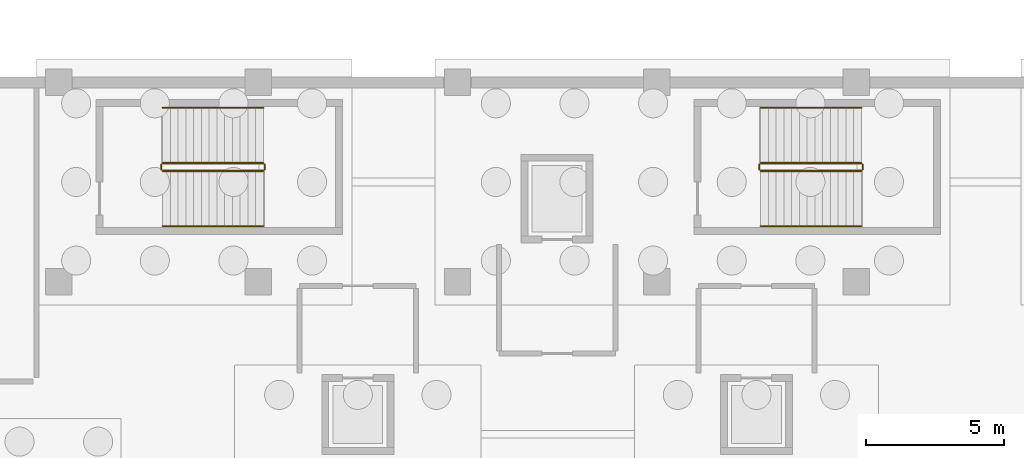
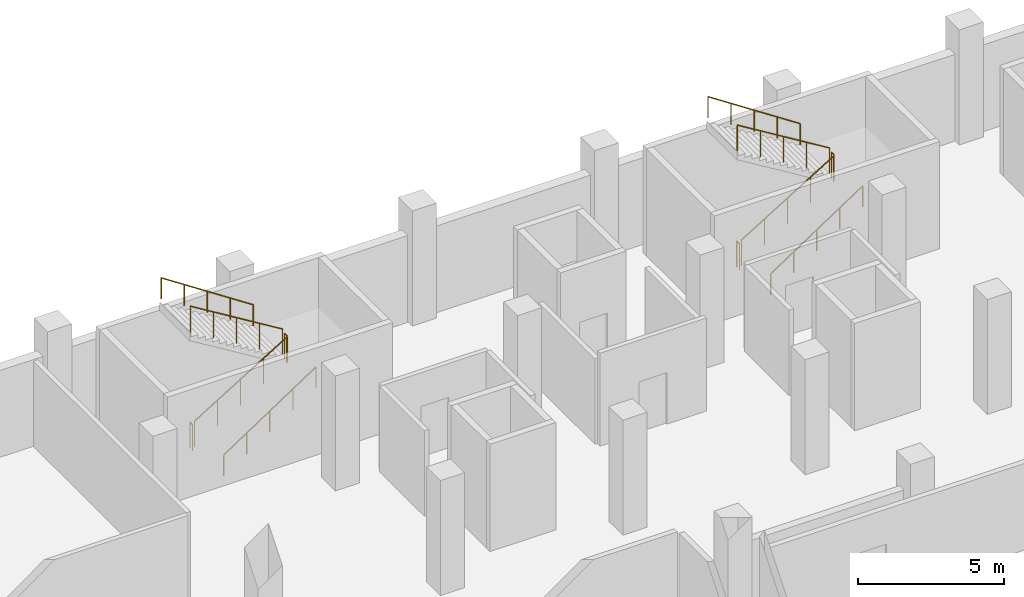
# One storey, part 8 of 10: 12 railings.
"""IFC4 building model written with IfcOpenShell, lengths in metres."""

import ifcopenshell
import ifcopenshell.guid

model = None  # the IFC model being written
_history = None  # IfcOwnerHistory: only IFC2X3 demands one
_inside = {}  # id of a spatial element -> (the spatial element, [elements in it])
_under = {}  # id of a project, library or spatial element -> (it, [spatial elements below it])
_declared = {}  # id of a project -> (the project, [libraries it declares])
_typed = {}  # id of a type object -> (the type object, [elements of that type])
_made_of = {}  # id of a material, layer set ... -> (it, [elements and type objects made of it])


def new_model(schema):
    """Start an empty IFC model of exactly this schema.

    Asked for "IFC4X3", IfcOpenShell would pick the latest addendum, in which some entities
    have other attributes; the version numbers below select the first issue.
    IFC2X3 requires an IfcOwnerHistory on every rooted entity: one is made here for all.
    """
    global model, _history
    if schema == "IFC4X3":
        model = ifcopenshell.file(schema_version=(4, 3, 0, 0))
    else:
        model = ifcopenshell.file(schema=schema)
    _inside.clear()
    _under.clear()
    _declared.clear()
    _typed.clear()
    _made_of.clear()
    _history = None
    if model.schema == "IFC2X3":
        org = make("IfcOrganization", Name="unknown")
        user = make(
            "IfcPersonAndOrganization",
            ThePerson=make("IfcPerson", FamilyName="unknown"),
            TheOrganization=org,
        )
        app = make(
            "IfcApplication",
            ApplicationDeveloper=org,
            Version="unknown",
            ApplicationFullName="unknown",
            ApplicationIdentifier="unknown",
        )
        _history = make(
            "IfcOwnerHistory",
            OwningUser=user,
            OwningApplication=app,
            ChangeAction="ADDED",
            CreationDate=0,
        )
    return model


def make(cls, **values):
    """One entity of the class cls with the attributes given. An attribute that is None is left unset."""
    return model.create_entity(
        cls, **{name: value for name, value in values.items() if value is not None}
    )


def rooted(cls, **values):
    """An entity with a GlobalId (a new one), such as an element, a storey or a relation."""
    return make(cls, GlobalId=ifcopenshell.guid.new(), OwnerHistory=_history, **values)


def si_unit(unit_type, name, prefix=None):
    """IfcSIUnit, for example si_unit("LENGTHUNIT", "METRE", prefix="MILLI")."""
    return make("IfcSIUnit", UnitType=unit_type, Prefix=prefix, Name=name)


def assignment(units):
    """IfcUnitAssignment: the units of a project."""
    return None if units is None else make("IfcUnitAssignment", Units=units)


def point(xyz):
    """IfcCartesianPoint."""
    return None if xyz is None else make("IfcCartesianPoint", Coordinates=xyz)


def direction(xyz):
    """IfcDirection."""
    return None if xyz is None else make("IfcDirection", DirectionRatios=xyz)


def frame(location, z_axis=None, x_axis=None):
    """IfcAxis2Placement3D, a coordinate frame: its origin and axes. An axis left out is left unset."""
    return make(
        "IfcAxis2Placement3D",
        Location=point(location),
        Axis=direction(z_axis),
        RefDirection=direction(x_axis),
    )


def frame_2d(location, x_axis=None):
    """IfcAxis2Placement2D, a coordinate frame in the plane: its origin and x axis."""
    return make(
        "IfcAxis2Placement2D", Location=point(location), RefDirection=direction(x_axis)
    )


def origin():
    """The frame at (0, 0, 0) with its axes left unset."""
    return frame((0.0, 0.0, 0.0))


def origin_2d():
    """The frame at (0, 0) in the plane with its x axis left unset."""
    return frame_2d((0.0, 0.0))


def place(relative_to, where):
    """IfcLocalPlacement: puts the frame where relative to a parent placement (None: the world)."""
    return make(
        "IfcLocalPlacement", PlacementRelTo=relative_to, RelativePlacement=where
    )


def context(
    kind, dimensions, precision=None, world=None, true_north=None, identifier=None
):
    """IfcGeometricRepresentationContext, for example the 3D "Model" context."""
    return make(
        "IfcGeometricRepresentationContext",
        ContextIdentifier=identifier,
        ContextType=kind,
        CoordinateSpaceDimension=dimensions,
        Precision=precision,
        WorldCoordinateSystem=world,
        TrueNorth=true_north,
    )


def subcontext(parent, identifier, kind, view, scale=None):
    """IfcGeometricRepresentationSubContext, for example "Body" below "Model"."""
    return make(
        "IfcGeometricRepresentationSubContext",
        ContextIdentifier=identifier,
        ContextType=kind,
        ParentContext=parent,
        TargetScale=scale,
        TargetView=view,
    )


def project(units=None, contexts=None):
    """IfcProject with its units and contexts."""
    return rooted(
        "IfcProject",
        Name="project",
        RepresentationContexts=contexts,
        UnitsInContext=assignment(units),
    )


def spatial(cls, under=None, at=None, **own):
    """A site, building, storey or space (cls), placed at a placement, below another one or the project."""
    s = rooted(cls, ObjectPlacement=at, **own)
    if under is not None:
        _under.setdefault(under.id(), (under, []))[1].append(s)
    return s


def profile(cls, at=None, kind="AREA", **sizes):
    """A parametric profile (cls). Its sizes go by their IFC names, for example OverallWidth=200.0."""
    return make(cls, ProfileType=kind, Position=at, **sizes)


def circle(**sizes):
    """IfcCircleProfileDef."""
    return profile("IfcCircleProfileDef", **sizes)


def extrude(swept, where, along, depth):
    """IfcExtrudedAreaSolid: the profile swept, set in the frame where, extruded along a direction by depth."""
    return make(
        "IfcExtrudedAreaSolid",
        SweptArea=swept,
        Position=where,
        ExtrudedDirection=direction(along),
        Depth=depth,
    )


def shape(context_of_items, identifier, shape_type, items):
    """IfcShapeRepresentation: the items that make up one representation, for example the "Body"."""
    return make(
        "IfcShapeRepresentation",
        ContextOfItems=context_of_items,
        RepresentationIdentifier=identifier,
        RepresentationType=shape_type,
        Items=items,
    )


def material(Name=None, Category=None):
    """IfcMaterial."""
    return make("IfcMaterial", Name=Name, Category=Category)


def made_of(thing, what):
    """Note that an element or type object is made of a material, layer set ...; save() writes the relation."""
    if what is not None:
        _made_of.setdefault(what.id(), (what, []))[1].append(thing)
    return thing


def type_object(cls, material=None, **own):
    """A type object (cls), such as IfcWallType, which elements share."""
    return made_of(rooted(cls, **own), material)


def element(
    cls,
    number,
    at=None,
    inside=None,
    cuts=None,
    type_object=None,
    material=None,
    context=None,
    identifier="Body",
    shape_type=None,
    held_by="IfcProductDefinitionShape",
    body=None,
    shapes=None,
    **own,
):
    """One element of the class cls, such as IfcWall. Its Tag is "e" and its number.

    at: its placement. inside: the storey or other place that contains it. cuts: it is an
    opening in that element (IfcRelVoidsElement). A single representation is given by context,
    identifier, shape_type and body (its items); several are given by shapes. held_by: the class
    of the entity that holds the representations. save() writes the other relations.
    """
    e = rooted(cls, Tag="e%d" % number, ObjectPlacement=at, **own)
    if body is not None:
        shapes = [shape(context, identifier, shape_type, body)]
    if shapes is not None:
        e.Representation = make(held_by, Representations=shapes)
    if inside is not None:
        _inside.setdefault(inside.id(), (inside, []))[1].append(e)
    if cuts is not None:
        rooted(
            "IfcRelVoidsElement", RelatingBuildingElement=cuts, RelatedOpeningElement=e
        )
    if type_object is not None:
        _typed.setdefault(type_object.id(), (type_object, []))[1].append(e)
    return made_of(e, material)


def aggregate(whole, parts):
    """IfcRelAggregates: a whole, such as a stair, and the parts it consists of."""
    return rooted("IfcRelAggregates", RelatingObject=whole, RelatedObjects=parts)


def save(model, path):
    """Write the relations noted so far, then the file.

    IfcRelAggregates (storeys below a building ...), IfcRelContainedInSpatialStructure (elements
    in a storey), IfcRelDefinesByType, IfcRelAssociatesMaterial and IfcRelDeclares: one each for
    every whole, place, type object, material and project.
    """
    for whole, parts in _under.values():
        aggregate(whole, parts)
    for where, things in _inside.values():
        rooted(
            "IfcRelContainedInSpatialStructure",
            RelatedElements=things,
            RelatingStructure=where,
        )
    for kind, things in _typed.values():
        rooted("IfcRelDefinesByType", RelatedObjects=things, RelatingType=kind)
    for what, things in _made_of.values():
        rooted("IfcRelAssociatesMaterial", RelatedObjects=things, RelatingMaterial=what)
    for by, libraries in _declared.values():
        rooted("IfcRelDeclares", RelatingContext=by, RelatedDefinitions=libraries)
    model.write(path)


model = new_model("IFC4")

# Units and contexts
model_context = context("Model", 3, precision=1e-05, world=origin(), true_north=direction((0.0, 1.0)))
body_context = subcontext(model_context, "Body", "Model", "MODEL_VIEW")
ifc_project = project(units=[si_unit("LENGTHUNIT", "METRE"), si_unit("AREAUNIT", "SQUARE_METRE"), si_unit("VOLUMEUNIT", "CUBIC_METRE"), si_unit("PLANEANGLEUNIT", "RADIAN"), si_unit("MASSUNIT", "GRAM", prefix="KILO")], contexts=[model_context])

# Site, building, storey
site_placement = place(None, origin())
site = spatial("IfcSite", under=ifc_project, at=site_placement, CompositionType="ELEMENT")
building_placement = place(site_placement, origin())
building = spatial("IfcBuilding", under=site, at=building_placement, Name="Cendralis Lancet Convention Centre", CompositionType="ELEMENT")
storey_placement = place(building_placement, frame((0.0, 0.0, -4.800048828125)))
storey = spatial("IfcBuildingStorey", under=building, at=storey_placement, Name="B1", CompositionType="ELEMENT", Elevation=-4.800048828125)

# Railings
ifc_material = material(Name="Steel S355", Category="steel")
railing_type_1 = type_object("IfcRailingType", Name="ARC-RL-CGD", PredefinedType="GUARDRAIL", material=ifc_material)
railing_1_placement = place(storey_placement, frame((150.14990234375, 32.800048828125, 0.17138671875)))
element("IfcRailing", 1, at=railing_1_placement, inside=storey, type_object=railing_type_1, Name="B1 ST-13 stair guard 1", PredefinedType="GUARDRAIL", context=body_context, shape_type="SweptSolid", body=[
    extrude(circle(Radius=0.02392578125, at=origin_2d()), frame((0.0, 0.0, 1.076171875), z_axis=(0.852840387347, 0.0, 0.522171689878), x_axis=(0.0, 1.0, 0.0)), (0.0, 0.0, 1.0), 4.268310546875),
    extrude(circle(Radius=0.02099609375, at=origin_2d()), origin(), (0.0, 0.0, 1.0), 1.052001953125),
    extrude(circle(Radius=0.02099609375, at=origin_2d()), frame((0.91015625, 0.0, 0.55712890625)), (0.0, 0.0, 1.0), 1.052001953125),
    extrude(circle(Radius=0.02099609375, at=origin_2d()), frame((1.820068359375, 0.0, 1.1142578125)), (0.0, 0.0, 1.0), 1.052001953125),
    extrude(circle(Radius=0.02099609375, at=origin_2d()), frame((2.72998046875, 0.0, 1.671630859375)), (0.0, 0.0, 1.0), 1.052001953125),
    extrude(circle(Radius=0.02099609375, at=origin_2d()), frame((3.64013671875, 0.0, 2.228759765625)), (0.0, 0.0, 1.0), 1.052001953125),
])
railing_2_placement = place(storey_placement, frame((153.840087890625, 32.85009765625, 2.400146484375)))
element("IfcRailing", 2, at=railing_2_placement, inside=storey, type_object=railing_type_1, Name="B1 ST-13 stair guard 2", PredefinedType="GUARDRAIL", context=body_context, shape_type="SweptSolid", body=[
    extrude(circle(Radius=0.02392578125, at=origin_2d()), frame((0.0, 0.0, 1.076171875), z_axis=(0.0, 1.0, 0.0), x_axis=(-1.0, 0.0, 0.0)), (0.0, 0.0, 1.0), 0.179931640625),
    extrude(circle(Radius=0.02099609375, at=origin_2d()), origin(), (0.0, 0.0, 1.0), 1.052001953125),
    extrude(circle(Radius=0.02099609375, at=origin_2d()), frame((0.0, 0.179931640625, 0.0)), (0.0, 0.0, 1.0), 1.052001953125),
])
railing_3_placement = place(storey_placement, frame((153.7900390625, 33.080078125, 2.571533203125)))
element("IfcRailing", 3, at=railing_3_placement, inside=storey, type_object=railing_type_1, Name="B1 ST-13 stair guard 3", PredefinedType="GUARDRAIL", context=body_context, shape_type="SweptSolid", body=[
    extrude(circle(Radius=0.02392578125, at=origin_2d()), frame((0.0, 0.0, 1.076171875), z_axis=(-0.852865859571, 0.0, 0.52213008492), x_axis=(0.0, -1.0, 0.0)), (0.0, 0.0, 1.0), 4.26806640625),
    extrude(circle(Radius=0.02099609375, at=origin_2d()), origin(), (0.0, 0.0, 1.0), 1.052001953125),
    extrude(circle(Radius=0.02099609375, at=origin_2d()), frame((-0.91015625, 0.0, 0.55712890625)), (0.0, 0.0, 1.0), 1.052001953125),
    extrude(circle(Radius=0.02099609375, at=origin_2d()), frame((-1.820068359375, 0.0, 1.1142578125)), (0.0, 0.0, 1.0), 1.052001953125),
    extrude(circle(Radius=0.02099609375, at=origin_2d()), frame((-2.72998046875, 0.0, 1.67138671875)), (0.0, 0.0, 1.0), 1.052001953125),
    extrude(circle(Radius=0.02099609375, at=origin_2d()), frame((-3.64013671875, 0.0, 2.228515625)), (0.0, 0.0, 1.0), 1.052001953125),
])
railing_4_placement = place(storey_placement, frame((150.10009765625, 32.85009765625, 0.0)))
element("IfcRailing", 4, at=railing_4_placement, inside=storey, type_object=railing_type_1, Name="B1 ST-13 stair guard 4", PredefinedType="GUARDRAIL", context=body_context, shape_type="SweptSolid", body=[
    extrude(circle(Radius=0.02392578125, at=origin_2d()), frame((0.0, 0.0, 1.076171875), z_axis=(0.0, 1.0, 0.0), x_axis=(-1.0, 0.0, 0.0)), (0.0, 0.0, 1.0), 0.179931640625),
    extrude(circle(Radius=0.02099609375, at=origin_2d()), origin(), (0.0, 0.0, 1.0), 1.052001953125),
    extrude(circle(Radius=0.02099609375, at=origin_2d()), frame((0.0, 0.179931640625, 0.0)), (0.0, 0.0, 1.0), 1.052001953125),
])
railing_5_placement = place(storey_placement, frame((171.75, 32.800048828125, 0.17138671875)))
element("IfcRailing", 5, at=railing_5_placement, inside=storey, type_object=railing_type_1, Name="B1 ST-14 stair guard 1", PredefinedType="GUARDRAIL", context=body_context, shape_type="SweptSolid", body=[
    extrude(circle(Radius=0.02392578125, at=origin_2d()), frame((0.0, 0.0, 1.076171875), z_axis=(0.852824790078, 0.0, 0.522197163366), x_axis=(0.0, 1.0, 0.0)), (0.0, 0.0, 1.0), 4.26806640625),
    extrude(circle(Radius=0.02099609375, at=origin_2d()), origin(), (0.0, 0.0, 1.0), 1.052001953125),
    extrude(circle(Radius=0.02099609375, at=origin_2d()), frame((0.909912109375, 0.0, 0.55712890625)), (0.0, 0.0, 1.0), 1.052001953125),
    extrude(circle(Radius=0.02099609375, at=origin_2d()), frame((1.81982421875, 0.0, 1.1142578125)), (0.0, 0.0, 1.0), 1.052001953125),
    extrude(circle(Radius=0.02099609375, at=origin_2d()), frame((2.72998046875, 0.0, 1.671630859375)), (0.0, 0.0, 1.0), 1.052001953125),
    extrude(circle(Radius=0.02099609375, at=origin_2d()), frame((3.639892578125, 0.0, 2.228759765625)), (0.0, 0.0, 1.0), 1.052001953125),
])
railing_6_placement = place(storey_placement, frame((175.43994140625, 32.85009765625, 2.400146484375)))
element("IfcRailing", 6, at=railing_6_placement, inside=storey, type_object=railing_type_1, Name="B1 ST-14 stair guard 2", PredefinedType="GUARDRAIL", context=body_context, shape_type="SweptSolid", body=[
    extrude(circle(Radius=0.02392578125, at=origin_2d()), frame((0.0, 0.0, 1.076171875), z_axis=(0.0, 1.0, 0.0), x_axis=(-1.0, 0.0, 0.0)), (0.0, 0.0, 1.0), 0.179931640625),
    extrude(circle(Radius=0.02099609375, at=origin_2d()), origin(), (0.0, 0.0, 1.0), 1.052001953125),
    extrude(circle(Radius=0.02099609375, at=origin_2d()), frame((0.0, 0.179931640625, 0.0)), (0.0, 0.0, 1.0), 1.052001953125),
])
railing_7_placement = place(storey_placement, frame((175.389892578125, 33.080078125, 2.571533203125)))
element("IfcRailing", 7, at=railing_7_placement, inside=storey, type_object=railing_type_1, Name="B1 ST-14 stair guard 3", PredefinedType="GUARDRAIL", context=body_context, shape_type="SweptSolid", body=[
    extrude(circle(Radius=0.02392578125, at=origin_2d()), frame((0.0, 0.0, 1.076171875), z_axis=(-0.852850264322, 0.0, 0.5221555579), x_axis=(0.0, -1.0, 0.0)), (0.0, 0.0, 1.0), 4.267822265625),
    extrude(circle(Radius=0.02099609375, at=origin_2d()), origin(), (0.0, 0.0, 1.0), 1.052001953125),
    extrude(circle(Radius=0.02099609375, at=origin_2d()), frame((-0.909912109375, 0.0, 0.55712890625)), (0.0, 0.0, 1.0), 1.052001953125),
    extrude(circle(Radius=0.02099609375, at=origin_2d()), frame((-1.81982421875, 0.0, 1.1142578125)), (0.0, 0.0, 1.0), 1.052001953125),
    extrude(circle(Radius=0.02099609375, at=origin_2d()), frame((-2.72998046875, 0.0, 1.67138671875)), (0.0, 0.0, 1.0), 1.052001953125),
    extrude(circle(Radius=0.02099609375, at=origin_2d()), frame((-3.639892578125, 0.0, 2.228515625)), (0.0, 0.0, 1.0), 1.052001953125),
])
railing_8_placement = place(storey_placement, frame((171.699951171875, 32.85009765625, 0.0)))
element("IfcRailing", 8, at=railing_8_placement, inside=storey, type_object=railing_type_1, Name="B1 ST-14 stair guard 4", PredefinedType="GUARDRAIL", context=body_context, shape_type="SweptSolid", body=[
    extrude(circle(Radius=0.02392578125, at=origin_2d()), frame((0.0, 0.0, 1.076171875), z_axis=(0.0, 1.0, 0.0), x_axis=(-1.0, 0.0, 0.0)), (0.0, 0.0, 1.0), 0.179931640625),
    extrude(circle(Radius=0.02099609375, at=origin_2d()), origin(), (0.0, 0.0, 1.0), 1.052001953125),
    extrude(circle(Radius=0.02099609375, at=origin_2d()), frame((0.0, 0.179931640625, 0.0)), (0.0, 0.0, 1.0), 1.052001953125),
])
railing_type_2 = type_object("IfcRailingType", Name="ARC-RL-CHR", PredefinedType="HANDRAIL", material=ifc_material)
railing_9_placement = place(storey_placement, frame((150.14990234375, 30.800048828125, 0.17138671875)))
element("IfcRailing", 9, at=railing_9_placement, inside=storey, type_object=railing_type_2, Name="B1 ST-13 stair handrail 1", PredefinedType="HANDRAIL", context=body_context, shape_type="SweptSolid", body=[
    extrude(circle(Radius=0.02392578125, at=origin_2d()), frame((0.0, 0.0, 0.8759765625), z_axis=(0.834856447115, 0.0, 0.55046772177), x_axis=(0.0, 1.0, 0.0)), (0.0, 0.0, 1.0), 4.360107421875),
    extrude(circle(Radius=0.02099609375, at=origin_2d()), origin(), (0.0, 0.0, 1.0), 0.851806640625),
    extrude(circle(Radius=0.02099609375, at=origin_2d()), frame((0.91015625, 0.0, 0.60009765625)), (0.0, 0.0, 1.0), 0.851806640625),
    extrude(circle(Radius=0.02099609375, at=origin_2d()), frame((1.820068359375, 0.0, 1.2001953125)), (0.0, 0.0, 1.0), 0.851806640625),
    extrude(circle(Radius=0.02099609375, at=origin_2d()), frame((2.72998046875, 0.0, 1.800048828125)), (0.0, 0.0, 1.0), 0.851806640625),
    extrude(circle(Radius=0.02099609375, at=origin_2d()), frame((3.64013671875, 0.0, 2.400146484375)), (0.0, 0.0, 1.0), 0.851806640625),
])
railing_10_placement = place(storey_placement, frame((153.7900390625, 35.080078125, 2.571533203125)))
element("IfcRailing", 10, at=railing_10_placement, inside=storey, type_object=railing_type_2, Name="B1 ST-13 stair handrail 2", PredefinedType="HANDRAIL", context=body_context, shape_type="SweptSolid", body=[
    extrude(circle(Radius=0.02392578125, at=origin_2d()), frame((0.0, 0.0, 0.8759765625), z_axis=(-0.83488217925, 0.0, 0.55042869363), x_axis=(0.0, -1.0, 0.0)), (0.0, 0.0, 1.0), 4.360107421875),
    extrude(circle(Radius=0.02099609375, at=origin_2d()), origin(), (0.0, 0.0, 1.0), 0.851806640625),
    extrude(circle(Radius=0.02099609375, at=origin_2d()), frame((-0.91015625, 0.0, 0.60009765625)), (0.0, 0.0, 1.0), 0.851806640625),
    extrude(circle(Radius=0.02099609375, at=origin_2d()), frame((-1.820068359375, 0.0, 1.199951171875)), (0.0, 0.0, 1.0), 0.851806640625),
    extrude(circle(Radius=0.02099609375, at=origin_2d()), frame((-2.72998046875, 0.0, 1.7998046875)), (0.0, 0.0, 1.0), 0.851806640625),
    extrude(circle(Radius=0.02099609375, at=origin_2d()), frame((-3.64013671875, 0.0, 2.39990234375)), (0.0, 0.0, 1.0), 0.851806640625),
])
railing_11_placement = place(storey_placement, frame((171.75, 30.800048828125, 0.17138671875)))
element("IfcRailing", 11, at=railing_11_placement, inside=storey, type_object=railing_type_2, Name="B1 ST-14 stair handrail 1", PredefinedType="HANDRAIL", context=body_context, shape_type="SweptSolid", body=[
    extrude(circle(Radius=0.02392578125, at=origin_2d()), frame((0.0, 0.0, 0.8759765625), z_axis=(0.834839479206, 0.0, 0.550493454965), x_axis=(0.0, 1.0, 0.0)), (0.0, 0.0, 1.0), 4.360107421875),
    extrude(circle(Radius=0.02099609375, at=origin_2d()), origin(), (0.0, 0.0, 1.0), 0.851806640625),
    extrude(circle(Radius=0.02099609375, at=origin_2d()), frame((0.909912109375, 0.0, 0.60009765625)), (0.0, 0.0, 1.0), 0.851806640625),
    extrude(circle(Radius=0.02099609375, at=origin_2d()), frame((1.81982421875, 0.0, 1.2001953125)), (0.0, 0.0, 1.0), 0.851806640625),
    extrude(circle(Radius=0.02099609375, at=origin_2d()), frame((2.72998046875, 0.0, 1.800048828125)), (0.0, 0.0, 1.0), 0.851806640625),
    extrude(circle(Radius=0.02099609375, at=origin_2d()), frame((3.639892578125, 0.0, 2.400146484375)), (0.0, 0.0, 1.0), 0.851806640625),
])
railing_12_placement = place(storey_placement, frame((175.389892578125, 35.080078125, 2.571533203125)))
element("IfcRailing", 12, at=railing_12_placement, inside=storey, type_object=railing_type_2, Name="B1 ST-14 stair handrail 2", PredefinedType="HANDRAIL", context=body_context, shape_type="SweptSolid", body=[
    extrude(circle(Radius=0.02392578125, at=origin_2d()), frame((0.0, 0.0, 0.8759765625), z_axis=(-0.834865213223, 0.0, 0.550454426587), x_axis=(0.0, -1.0, 0.0)), (0.0, 0.0, 1.0), 4.35986328125),
    extrude(circle(Radius=0.02099609375, at=origin_2d()), origin(), (0.0, 0.0, 1.0), 0.851806640625),
    extrude(circle(Radius=0.02099609375, at=origin_2d()), frame((-0.909912109375, 0.0, 0.60009765625)), (0.0, 0.0, 1.0), 0.851806640625),
    extrude(circle(Radius=0.02099609375, at=origin_2d()), frame((-1.81982421875, 0.0, 1.199951171875)), (0.0, 0.0, 1.0), 0.851806640625),
    extrude(circle(Radius=0.02099609375, at=origin_2d()), frame((-2.72998046875, 0.0, 1.7998046875)), (0.0, 0.0, 1.0), 0.851806640625),
    extrude(circle(Radius=0.02099609375, at=origin_2d()), frame((-3.639892578125, 0.0, 2.39990234375)), (0.0, 0.0, 1.0), 0.851806640625),
])

save(model, "model.ifc")
